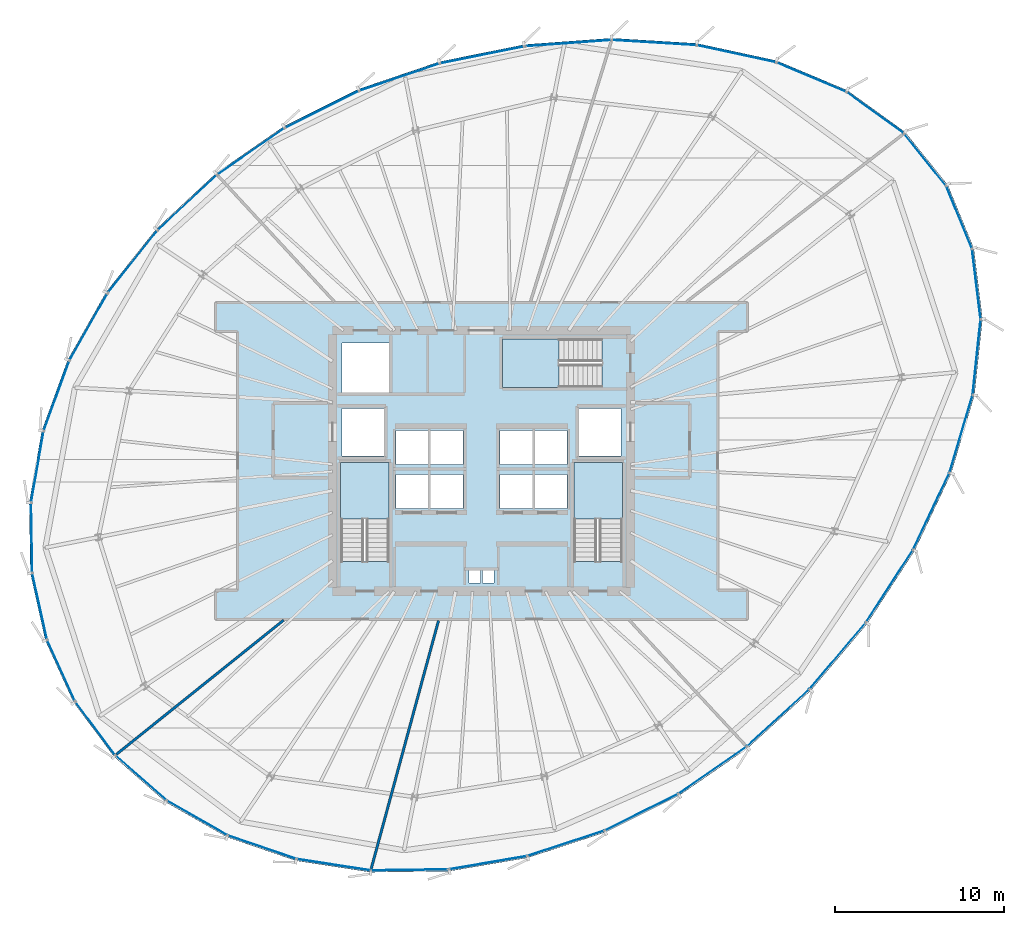
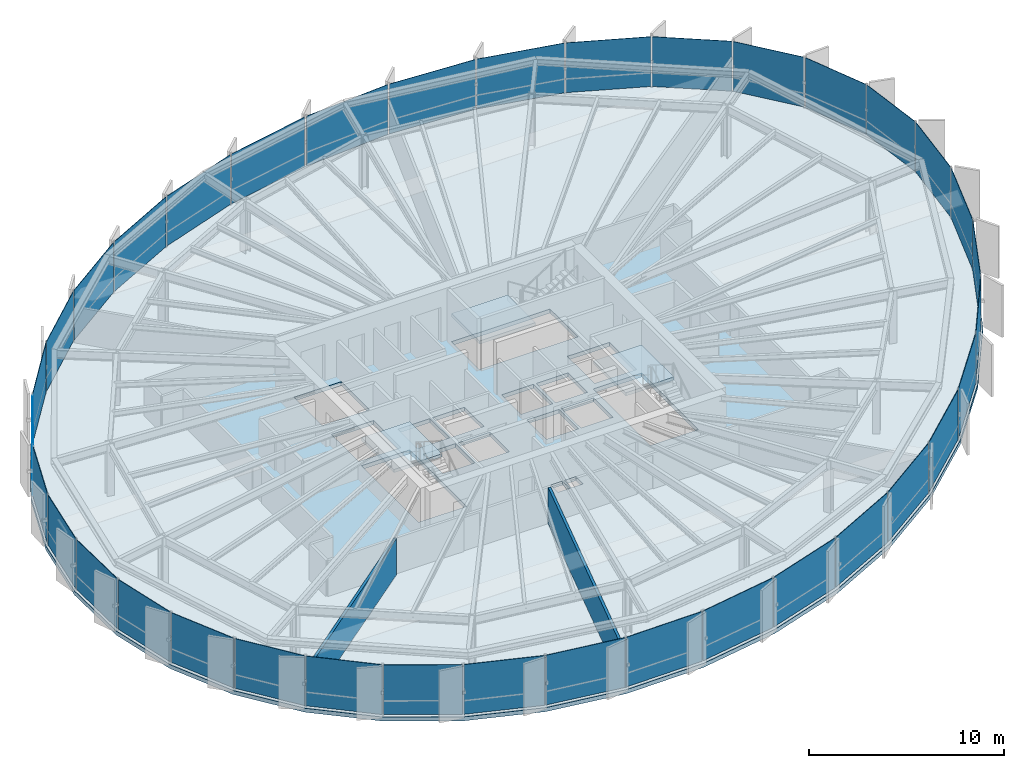
# One storey, part 25 of 32: 36 plates, 4 slabs, 2 walls, 9 elements without a shape of their own.
"""IFC4 building model written with IfcOpenShell, lengths in metres."""

from ifc_helpers import new_model, si_unit, direction, frame, frame_2d, origin, origin_2d, place, context, subcontext, project, spatial, polyline, rectangle, outline, extrude, source, transform, mapped, material, layer, layer_set, type_object, element, aggregate, save


model = new_model("IFC4")

# Units and contexts
model_context = context("Model", 3, precision=1e-05, world=origin(), true_north=direction((0.0, 1.0)))
body_context = subcontext(model_context, "Body", "Model", "MODEL_VIEW")
ifc_project = project(units=[si_unit("LENGTHUNIT", "METRE"), si_unit("AREAUNIT", "SQUARE_METRE"), si_unit("VOLUMEUNIT", "CUBIC_METRE"), si_unit("PLANEANGLEUNIT", "RADIAN"), si_unit("MASSUNIT", "GRAM", prefix="KILO"), si_unit("THERMODYNAMICTEMPERATUREUNIT", "KELVIN")], contexts=[model_context])

# Site, building, storey
site_placement = place(None, origin())
site = spatial("IfcSite", under=ifc_project, at=site_placement, CompositionType="ELEMENT")
building_placement = place(site_placement, origin())
building = spatial("IfcBuilding", under=site, at=building_placement, Name="Kethvar Cultural Tower", CompositionType="ELEMENT")
storey_placement = place(building_placement, frame((0.0, 0.0, 157.199951171875)))
storey = spatial("IfcBuildingStorey", under=building, at=storey_placement, Name="L40", CompositionType="ELEMENT", Elevation=157.199951171875)

# Stair, slab
ifc_material_1 = material(Name="Concrete C40/50", Category="concrete")
stair_type = type_object("IfcStairType", Name="ST-DOGLEG-135", PredefinedType="HALF_TURN_STAIR", material=ifc_material_1)
stair_1_placement = place(storey_placement, origin())
stair_1 = element("IfcStair", 1, at=stair_1_placement, inside=storey, type_object=stair_type, Name="L40 Core Exit Stair 1", PredefinedType="HALF_TURN_STAIR")
ifc_layer_1 = layer(ifc_material_1, 0.199951171875, Name="Concrete C40/50", Category="concrete")
ifc_layer_set_1 = layer_set([ifc_layer_1], Name="Concrete C40/50 (200 mm)")
slab_type_1 = type_object("IfcSlabType", Name="SL-STAIR-LANDING-200", PredefinedType="LANDING", material=ifc_layer_set_1)
slab_1_placement = place(storey_placement, frame((0.0, 0.0, 1.574951171875)))
slab_1 = element("IfcSlab", 2, at=slab_1_placement, type_object=slab_type_1, Name="ST-01 landing 1", PredefinedType="LANDING", context=body_context, shape_type="SweptSolid", body=[
    extrude(outline(polyline([(41.35009765625, 24.3701171875), (41.35009765625, 27.699951171875), (38.489990234375, 27.699951171875), (38.489990234375, 24.3701171875), (41.35009765625, 24.3701171875)])), origin(), (0.0, 0.0, 1.0), 0.2001953125),
])
aggregate(stair_1, [slab_1])

stair_2_placement = place(storey_placement, origin())
stair_2 = element("IfcStair", 3, at=stair_2_placement, inside=storey, type_object=stair_type, Name="L40 Core Exit Stair 2", PredefinedType="HALF_TURN_STAIR")
slab_2_placement = place(storey_placement, frame((0.0, 0.0, 1.574951171875)))
slab_2 = element("IfcSlab", 4, at=slab_2_placement, type_object=slab_type_1, Name="ST-02 landing 1", PredefinedType="LANDING", context=body_context, shape_type="SweptSolid", body=[
    extrude(outline(polyline([(55.110107421875, 24.3701171875), (55.110107421875, 27.699951171875), (52.25, 27.699951171875), (52.25, 24.3701171875), (55.110107421875, 24.3701171875)])), origin(), (0.0, 0.0, 1.0), 0.2001953125),
])
aggregate(stair_2, [slab_2])

stair_3_placement = place(storey_placement, origin())
stair_3 = element("IfcStair", 5, at=stair_3_placement, inside=storey, type_object=stair_type, Name="L40 Core Exit Stair 3", PredefinedType="HALF_TURN_STAIR")
slab_3_placement = place(storey_placement, frame((0.0, 0.0, 1.574951171875)))
slab_3 = element("IfcSlab", 6, at=slab_3_placement, type_object=slab_type_1, Name="ST-03 landing 1", PredefinedType="LANDING", context=body_context, shape_type="SweptSolid", body=[
    extrude(outline(polyline([(51.3798828125, 35.010009765625), (48.050048828125, 35.010009765625), (48.050048828125, 32.14990234375), (51.3798828125, 32.14990234375), (51.3798828125, 35.010009765625)])), origin(), (0.0, 0.0, 1.0), 0.2001953125),
])
aggregate(stair_3, [slab_3])

# Slab
ifc_layer_2 = layer(ifc_material_1, 0.25, Name="Concrete C40/50", Category="concrete")
ifc_layer_set_2 = layer_set([ifc_layer_2], Name="Concrete C40/50 (250 mm)")
slab_type_2 = type_object("IfcSlabType", Name="SL-TOW-250", PredefinedType="FLOOR", material=ifc_layer_set_2)
slab_4_placement = place(storey_placement, frame((0.0, 0.0, -0.25)))
element("IfcSlab", 7, at=slab_4_placement, inside=storey, type_object=slab_type_2, Name="L40 Structural Floor Slab", PredefinedType="FLOOR", context=body_context, shape_type="SweptSolid", body=[
    extrude(outline(polyline([(74.333740234375, 44.08349609375), (71.810302734375, 47.219970703125), (68.390380859375, 49.685546875), (64.2265625, 51.43408203125), (59.515380859375, 52.4541015625), (54.478759765625, 52.760986328125), (49.33935546875, 52.38671875), (44.2998046875, 51.3701171875), (39.5244140625, 49.74853515625), (35.12060546875, 47.549072265625), (31.114501953125, 44.77490234375), (27.585205078125, 41.485107421875), (24.639892578125, 37.779541015625), (22.367919921875, 33.770751953125), (20.837890625, 29.580322265625), (20.09716796875, 25.3359375), (20.16748046875, 21.16650390625), (21.047119140625, 17.198486328125), (22.709228515625, 13.552734375), (25.103515625, 10.33984375), (28.15673828125, 7.657470703125), (31.776611328125, 5.587158203125), (35.852783203125, 4.191650390625), (40.26171875, 3.513427734375), (44.869384765625, 3.5732421875), (49.53564453125, 4.369140625), (54.118896484375, 5.877197265625), (58.4794921875, 8.051025390625), (62.528564453125, 10.8505859375), (66.250244140625, 14.254150390625), (69.56884765625, 18.180419921875), (72.372802734375, 22.50390625), (74.530517578125, 27.0654296875), (75.906005859375, 31.68505859375), (76.379638671875, 36.176513671875), (75.86669921875, 40.361083984375), (74.333740234375, 44.08349609375)]), holes=[polyline([(38.489990234375, 21.85009765625), (38.489990234375, 27.699951171875), (41.35009765625, 27.699951171875), (41.35009765625, 21.85009765625), (38.489990234375, 21.85009765625)]), polyline([(52.25, 21.85009765625), (52.25, 27.699951171875), (55.110107421875, 27.699951171875), (55.110107421875, 21.85009765625), (52.25, 21.85009765625)]), polyline([(53.89990234375, 32.14990234375), (48.050048828125, 32.14990234375), (48.050048828125, 35.010009765625), (53.89990234375, 35.010009765625), (53.89990234375, 32.14990234375)]), polyline([(41.75, 27.0), (43.64990234375, 27.0), (43.64990234375, 25.0), (41.75, 25.0), (41.75, 27.0)]), polyline([(43.800048828125, 27.0), (45.699951171875, 27.0), (45.699951171875, 25.0), (43.800048828125, 25.0), (43.800048828125, 27.0)]), polyline([(47.89990234375, 27.0), (49.800048828125, 27.0), (49.800048828125, 25.0), (47.89990234375, 25.0), (47.89990234375, 27.0)]), polyline([(49.949951171875, 27.0), (51.85009765625, 27.0), (51.85009765625, 25.0), (49.949951171875, 25.0), (49.949951171875, 27.0)]), polyline([(41.75, 29.60009765625), (43.64990234375, 29.60009765625), (43.64990234375, 27.60009765625), (41.75, 27.60009765625), (41.75, 29.60009765625)]), polyline([(43.800048828125, 29.60009765625), (45.699951171875, 29.60009765625), (45.699951171875, 27.60009765625), (43.800048828125, 27.60009765625), (43.800048828125, 29.60009765625)]), polyline([(47.89990234375, 29.60009765625), (49.800048828125, 29.60009765625), (49.800048828125, 27.60009765625), (47.89990234375, 27.60009765625), (47.89990234375, 29.60009765625)]), polyline([(49.949951171875, 29.60009765625), (51.85009765625, 29.60009765625), (51.85009765625, 27.60009765625), (49.949951171875, 27.60009765625), (49.949951171875, 29.60009765625)]), polyline([(38.550048828125, 30.89990234375), (41.050048828125, 30.89990234375), (41.050048828125, 28.10009765625), (38.550048828125, 28.10009765625), (38.550048828125, 30.89990234375)]), polyline([(52.550048828125, 30.89990234375), (55.050048828125, 30.89990234375), (55.050048828125, 28.10009765625), (52.550048828125, 28.10009765625), (52.550048828125, 30.89990234375)]), polyline([(38.550048828125, 34.75), (41.35009765625, 34.75), (41.35009765625, 31.85009765625), (38.550048828125, 31.85009765625), (38.550048828125, 34.75)]), polyline([(46.050048828125, 21.35009765625), (46.75, 21.35009765625), (46.75, 20.60009765625), (46.050048828125, 20.60009765625), (46.050048828125, 21.35009765625)]), polyline([(46.85009765625, 21.35009765625), (47.550048828125, 21.35009765625), (47.550048828125, 20.60009765625), (46.85009765625, 20.60009765625), (46.85009765625, 21.35009765625)])]), origin(), (0.0, 0.0, 1.0), 0.25),
])

# Curtain wall, plate
ifc_material_2 = material(Name="Aluminium 6063-T6", Category="aluminium")
ifc_layer_3 = layer(ifc_material_2, 0.179931640625, Name="Aluminium 6063-T6", Category="aluminium")
ifc_layer_set_3 = layer_set([ifc_layer_3], Name="Aluminium 6063-T6 (180 mm)")
curtain_wall_type = type_object("IfcCurtainWallType", Name="CW-SYS-04-Z34", PredefinedType="NOTDEFINED", material=ifc_layer_set_3)
curtain_wall_1_placement = place(storey_placement, origin())
curtain_wall_1 = element("IfcCurtainWall", 8, at=curtain_wall_1_placement, inside=storey, type_object=curtain_wall_type, Name="L40 Curtain Wall Run 02", PredefinedType="NOTDEFINED")
ifc_material_3 = material(Name="Insulated Low-E Solar Glass", Category="glass")
ifc_layer_4 = layer(ifc_material_3, 0.030029296875, Name="Insulated Low-E Solar Glass", Category="glass")
ifc_layer_set_4 = layer_set([ifc_layer_4], Name="Insulated Low-E Solar Glass (30 mm)")
plate_type = type_object("IfcPlateType", Name="CW-SYS-04-Z34-PNL", PredefinedType="CURTAIN_PANEL", material=ifc_layer_set_4)
shared_shape_1 = source(origin(), body_context, "Body", "SweptSolid", [
    extrude(rectangle(XDim=4.836181640625, YDim=0.030029296875, at=origin_2d()), origin(), (0.0, 0.0, 1.0), 3.1201171875),
])
plate_1_placement = place(storey_placement, frame((37.37158203125, 48.55029296875, 0.090087890625), z_axis=(0.0, 0.0, 1.0), x_axis=(-0.894630437086, -0.446806872193, 0.0)))
plate_1 = element("IfcPlate", 9, at=plate_1_placement, type_object=plate_type, Name="CW-L40-R02 Vision Glazing Panel 3", PredefinedType="CURTAIN_PANEL", context=body_context, shape_type="MappedRepresentation", body=[
    mapped(shared_shape_1, transform((0.0, 0.0, 0.0), scale=1.0)),
])

curtain_wall_2_placement = place(storey_placement, origin())
curtain_wall_2 = element("IfcCurtainWall", 10, at=curtain_wall_2_placement, inside=storey, type_object=curtain_wall_type, Name="L40 Curtain Wall Run 05", PredefinedType="NOTDEFINED")
plate_2_placement = place(storey_placement, frame((60.44140625, 9.541259765625, 0.090087890625), z_axis=(0.0, 0.0, 1.0), x_axis=(0.822541272729, 0.56870541993, 0.0)))
plate_2 = element("IfcPlate", 11, at=plate_2_placement, type_object=plate_type, Name="CW-L40-R05 Vision Glazing Panel 4", PredefinedType="CURTAIN_PANEL", context=body_context, shape_type="MappedRepresentation", body=[
    mapped(shared_shape_1, transform((0.0, 0.0, 0.0), scale=1.0)),
])

curtain_wall_3_placement = place(storey_placement, origin())
curtain_wall_3 = element("IfcCurtainWall", 12, at=curtain_wall_3_placement, inside=storey, type_object=curtain_wall_type, Name="L40 Curtain Wall Run 01", PredefinedType="NOTDEFINED")
shared_shape_2 = source(origin(), body_context, "Body", "SweptSolid", [
    extrude(rectangle(XDim=3.939208984375, YDim=0.030029296875, at=origin_2d()), origin(), (0.0, 0.0, 1.0), 3.1201171875),
])
plate_3_placement = place(storey_placement, frame((72.986328125, 45.582763671875, 0.090087890625), z_axis=(0.0, 0.0, 1.0), x_axis=(-0.626848616681, 0.779141073083, 0.0)))
plate_3 = element("IfcPlate", 13, at=plate_3_placement, type_object=plate_type, Name="CW-L40-R01 Vision Glazing Panel 1", PredefinedType="CURTAIN_PANEL", context=body_context, shape_type="MappedRepresentation", body=[
    mapped(shared_shape_2, transform((0.0, 0.0, 0.0), scale=1.0)),
])

curtain_wall_4_placement = place(storey_placement, origin())
curtain_wall_4 = element("IfcCurtainWall", 14, at=curtain_wall_4_placement, inside=storey, type_object=curtain_wall_type, Name="L40 Curtain Wall Run 06", PredefinedType="NOTDEFINED")
plate_4_placement = place(storey_placement, frame((74.998291015625, 42.180419921875, 0.090087890625), z_axis=(0.0, 0.0, 1.0), x_axis=(-0.38079604125, 0.924659058771, 0.0)))
plate_4 = element("IfcPlate", 15, at=plate_4_placement, type_object=plate_type, Name="CW-L40-R06 Vision Glazing Panel 6", PredefinedType="CURTAIN_PANEL", context=body_context, shape_type="MappedRepresentation", body=[
    mapped(shared_shape_2, transform((0.0, 0.0, 0.0), scale=1.0)),
])

# Plate
shared_shape_3 = source(origin(), body_context, "Body", "SweptSolid", [
    extrude(rectangle(XDim=4.129638671875, YDim=0.030029296875, at=origin_2d()), origin(), (0.0, 0.0, 1.0), 3.1201171875),
])
plate_5_placement = place(storey_placement, frame((70.035888671875, 48.363525390625, 0.090087890625), z_axis=(0.0, 0.0, 1.0), x_axis=(-0.81116590101, 0.584816108738, 0.0)))
plate_5 = element("IfcPlate", 16, at=plate_5_placement, type_object=plate_type, Name="CW-L40-R01 Vision Glazing Panel 2", PredefinedType="CURTAIN_PANEL", context=body_context, shape_type="MappedRepresentation", body=[
    mapped(shared_shape_3, transform((0.0, 0.0, 0.0), scale=1.0)),
])

plate_6_placement = place(storey_placement, frame((76.013916015625, 38.25537109375, 0.090087890625), z_axis=(0.0, 0.0, 1.0), x_axis=(-0.121678785979, 0.992569530583, 0.0)))
plate_6 = element("IfcPlate", 17, at=plate_6_placement, type_object=plate_type, Name="CW-L40-R06 Vision Glazing Panel 5", PredefinedType="CURTAIN_PANEL", context=body_context, shape_type="MappedRepresentation", body=[
    mapped(shared_shape_3, transform((0.0, 0.0, 0.0), scale=1.0)),
])

shared_shape_4 = source(origin(), body_context, "Body", "SweptSolid", [
    extrude(rectangle(XDim=4.4296875, YDim=0.030029296875, at=origin_2d()), origin(), (0.0, 0.0, 1.0), 3.1201171875),
])
plate_7_placement = place(storey_placement, frame((66.265869140625, 50.45849609375, 0.090087890625), z_axis=(0.0, 0.0, 1.0), x_axis=(-0.92199836388, 0.387193771905, 0.0)))
plate_7 = element("IfcPlate", 18, at=plate_7_placement, type_object=plate_type, Name="CW-L40-R01 Vision Glazing Panel 3", PredefinedType="CURTAIN_PANEL", context=body_context, shape_type="MappedRepresentation", body=[
    mapped(shared_shape_4, transform((0.0, 0.0, 0.0), scale=1.0)),
])

plate_8_placement = place(storey_placement, frame((76.033447265625, 33.9423828125, 0.090087890625), z_axis=(0.0, 0.0, 1.0), x_axis=(0.104858253464, 0.994487177736, 0.0)))
plate_8 = element("IfcPlate", 19, at=plate_8_placement, type_object=plate_type, Name="CW-L40-R06 Vision Glazing Panel 4", PredefinedType="CURTAIN_PANEL", context=body_context, shape_type="MappedRepresentation", body=[
    mapped(shared_shape_4, transform((0.0, 0.0, 0.0), scale=1.0)),
])

shared_shape_5 = source(origin(), body_context, "Body", "SweptSolid", [
    extrude(rectangle(XDim=4.73388671875, YDim=0.030029296875, at=origin_2d()), origin(), (0.0, 0.0, 1.0), 3.1201171875),
])
plate_9_placement = place(storey_placement, frame((61.84765625, 51.836669921875, 0.090087890625), z_axis=(0.0, 0.0, 1.0), x_axis=(-0.977349456411, 0.211631850281, 0.0)))
plate_9 = element("IfcPlate", 20, at=plate_9_placement, type_object=plate_type, Name="CW-L40-R01 Vision Glazing Panel 4", PredefinedType="CURTAIN_PANEL", context=body_context, shape_type="MappedRepresentation", body=[
    mapped(shared_shape_5, transform((0.0, 0.0, 0.0), scale=1.0)),
])

plate_10_placement = place(storey_placement, frame((75.11279296875, 29.406494140625, 0.090087890625), z_axis=(0.0, 0.0, 1.0), x_axis=(0.285387287396, 0.95841227882, 0.0)))
plate_10 = element("IfcPlate", 21, at=plate_10_placement, type_object=plate_type, Name="CW-L40-R06 Vision Glazing Panel 3", PredefinedType="CURTAIN_PANEL", context=body_context, shape_type="MappedRepresentation", body=[
    mapped(shared_shape_5, transform((0.0, 0.0, 0.0), scale=1.0)),
])

shared_shape_6 = source(origin(), body_context, "Body", "SweptSolid", [
    extrude(rectangle(XDim=4.959716796875, YDim=0.030029296875, at=origin_2d()), origin(), (0.0, 0.0, 1.0), 3.1201171875),
])
plate_11_placement = place(storey_placement, frame((56.990478515625, 52.497802734375, 0.090087890625), z_axis=(0.0, 0.0, 1.0), x_axis=(-0.998149685597, 0.060804647374, 0.0)))
plate_11 = element("IfcPlate", 22, at=plate_11_placement, type_object=plate_type, Name="CW-L40-R01 Vision Glazing Panel 5", PredefinedType="CURTAIN_PANEL", context=body_context, shape_type="MappedRepresentation", body=[
    mapped(shared_shape_6, transform((0.0, 0.0, 0.0), scale=1.0)),
])

plate_12_placement = place(storey_placement, frame((73.35205078125, 24.83154296875, 0.090087890625), z_axis=(0.0, 0.0, 1.0), x_axis=(0.427578759668, 0.903978099447, 0.0)))
plate_12 = element("IfcPlate", 23, at=plate_12_placement, type_object=plate_type, Name="CW-L40-R06 Vision Glazing Panel 2", PredefinedType="CURTAIN_PANEL", context=body_context, shape_type="MappedRepresentation", body=[
    mapped(shared_shape_6, transform((0.0, 0.0, 0.0), scale=1.0)),
])

shared_shape_7 = source(origin(), body_context, "Body", "SweptSolid", [
    extrude(rectangle(XDim=5.066650390625, YDim=0.030029296875, at=origin_2d()), origin(), (0.0, 0.0, 1.0), 3.1201171875),
])
plate_13_placement = place(storey_placement, frame((51.9169921875, 52.464111328125, 0.090087890625), z_axis=(0.0, 0.0, 1.0), x_axis=(-0.997359029813, -0.072628958755, 0.0)))
plate_13 = element("IfcPlate", 24, at=plate_13_placement, type_object=plate_type, Name="CW-L40-R01 Vision Glazing Panel 6", PredefinedType="CURTAIN_PANEL", context=body_context, shape_type="MappedRepresentation", body=[
    mapped(shared_shape_7, transform((0.0, 0.0, 0.0), scale=1.0)),
])

aggregate(curtain_wall_3, [plate_3, plate_5, plate_7, plate_9, plate_11, plate_13])

plate_14_placement = place(storey_placement, frame((70.87841796875, 20.40185546875, 0.090087890625), z_axis=(0.0, 0.0, 1.0), x_axis=(0.544141262017, 0.838993615572, 0.0)))
plate_14 = element("IfcPlate", 25, at=plate_14_placement, type_object=plate_type, Name="CW-L40-R06 Vision Glazing Panel 1", PredefinedType="CURTAIN_PANEL", context=body_context, shape_type="MappedRepresentation", body=[
    mapped(shared_shape_7, transform((0.0, 0.0, 0.0), scale=1.0)),
])

aggregate(curtain_wall_4, [plate_14, plate_12, plate_10, plate_8, plate_6, plate_4])

shared_shape_8 = source(origin(), body_context, "Body", "SweptSolid", [
    extrude(rectangle(XDim=5.054443359375, YDim=0.030029296875, at=origin_2d()), origin(), (0.0, 0.0, 1.0), 3.1201171875),
])
plate_15_placement = place(storey_placement, frame((46.84130859375, 51.7705078125, 0.090087890625), z_axis=(0.0, 0.0, 1.0), x_axis=(-0.980253922032, -0.197742884424, 0.0)))
plate_15 = element("IfcPlate", 26, at=plate_15_placement, type_object=plate_type, Name="CW-L40-R02 Vision Glazing Panel 1", PredefinedType="CURTAIN_PANEL", context=body_context, shape_type="MappedRepresentation", body=[
    mapped(shared_shape_8, transform((0.0, 0.0, 0.0), scale=1.0)),
])

plate_16_placement = place(storey_placement, frame((67.825439453125, 16.288330078125, 0.090087890625), z_axis=(0.0, 0.0, 1.0), x_axis=(0.645537668718, 0.763728432276, 0.0)))
plate_16 = element("IfcPlate", 27, at=plate_16_placement, type_object=plate_type, Name="CW-L40-R05 Vision Glazing Panel 6", PredefinedType="CURTAIN_PANEL", context=body_context, shape_type="MappedRepresentation", body=[
    mapped(shared_shape_8, transform((0.0, 0.0, 0.0), scale=1.0)),
])

shared_shape_9 = source(origin(), body_context, "Body", "SweptSolid", [
    extrude(rectangle(XDim=4.956787109375, YDim=0.030029296875, at=origin_2d()), origin(), (0.0, 0.0, 1.0), 3.1201171875),
])
plate_17_placement = place(storey_placement, frame((41.947509765625, 50.455078125, 0.090087890625), z_axis=(0.0, 0.0, 1.0), x_axis=(-0.946896463241, -0.321538625832, 0.0)))
plate_17 = element("IfcPlate", 28, at=plate_17_placement, type_object=plate_type, Name="CW-L40-R02 Vision Glazing Panel 2", PredefinedType="CURTAIN_PANEL", context=body_context, shape_type="MappedRepresentation", body=[
    mapped(shared_shape_9, transform((0.0, 0.0, 0.0), scale=1.0)),
])

plate_18_placement = place(storey_placement, frame((64.315185546875, 12.633544921875, 0.090087890625), z_axis=(0.0, 0.0, 1.0), x_axis=(0.737925517065, 0.674882161021, 0.0)))
plate_18 = element("IfcPlate", 29, at=plate_18_placement, type_object=plate_type, Name="CW-L40-R05 Vision Glazing Panel 5", PredefinedType="CURTAIN_PANEL", context=body_context, shape_type="MappedRepresentation", body=[
    mapped(shared_shape_9, transform((0.0, 0.0, 0.0), scale=1.0)),
])

shared_shape_10 = source(origin(), body_context, "Body", "SweptSolid", [
    extrude(rectangle(XDim=4.786376953125, YDim=0.030029296875, at=origin_2d()), origin(), (0.0, 0.0, 1.0), 3.1201171875),
])
plate_19_placement = place(storey_placement, frame((33.18017578125, 46.071533203125, 0.090087890625), z_axis=(0.0, 0.0, 1.0), x_axis=(-0.822114232498, -0.569322570012, 0.0)))
plate_19 = element("IfcPlate", 30, at=plate_19_placement, type_object=plate_type, Name="CW-L40-R02 Vision Glazing Panel 4", PredefinedType="CURTAIN_PANEL", context=body_context, shape_type="MappedRepresentation", body=[
    mapped(shared_shape_10, transform((0.0, 0.0, 0.0), scale=1.0)),
])

shared_shape_11 = source(origin(), body_context, "Body", "SweptSolid", [
    extrude(rectangle(XDim=4.73828125, YDim=0.030029296875, at=origin_2d()), origin(), (0.0, 0.0, 1.0), 3.1201171875),
])
plate_20_placement = place(storey_placement, frame((29.425048828125, 43.049560546875, 0.090087890625), z_axis=(0.0, 0.0, 1.0), x_axis=(-0.73149652298, -0.681845170745, 0.0)))
plate_20 = element("IfcPlate", 31, at=plate_20_placement, type_object=plate_type, Name="CW-L40-R02 Vision Glazing Panel 5", PredefinedType="CURTAIN_PANEL", context=body_context, shape_type="MappedRepresentation", body=[
    mapped(shared_shape_11, transform((0.0, 0.0, 0.0), scale=1.0)),
])

shared_shape_12 = source(origin(), body_context, "Body", "SweptSolid", [
    extrude(rectangle(XDim=4.647216796875, YDim=0.030029296875, at=origin_2d()), origin(), (0.0, 0.0, 1.0), 3.1201171875),
])
plate_21_placement = place(storey_placement, frame((26.19873046875, 39.56396484375, 0.090087890625), z_axis=(0.0, 0.0, 1.0), x_axis=(-0.62222775396, -0.782836267812, 0.0)))
plate_21 = element("IfcPlate", 32, at=plate_21_placement, type_object=plate_type, Name="CW-L40-R02 Vision Glazing Panel 6", PredefinedType="CURTAIN_PANEL", context=body_context, shape_type="MappedRepresentation", body=[
    mapped(shared_shape_12, transform((0.0, 0.0, 0.0), scale=1.0)),
])

aggregate(curtain_wall_1, [plate_15, plate_17, plate_1, plate_19, plate_20, plate_21])

plate_22_placement = place(storey_placement, frame((47.18408203125, 4.07958984375, 0.090087890625), z_axis=(0.0, 0.0, 1.0), x_axis=(0.985762222924, 0.168145293887, 0.0)))
plate_22 = element("IfcPlate", 33, at=plate_22_placement, type_object=plate_type, Name="CW-L40-R05 Vision Glazing Panel 1", PredefinedType="CURTAIN_PANEL", context=body_context, shape_type="MappedRepresentation", body=[
    mapped(shared_shape_12, transform((0.0, 0.0, 0.0), scale=1.0)),
])

# Curtain wall, plate
curtain_wall_5_placement = place(storey_placement, origin())
curtain_wall_5 = element("IfcCurtainWall", 34, at=curtain_wall_5_placement, inside=storey, type_object=curtain_wall_type, Name="L40 Curtain Wall Run 03", PredefinedType="NOTDEFINED")
shared_shape_13 = source(origin(), body_context, "Body", "SweptSolid", [
    extrude(rectangle(XDim=4.521484375, YDim=0.030029296875, at=origin_2d()), origin(), (0.0, 0.0, 1.0), 3.1201171875),
])
plate_23_placement = place(storey_placement, frame((23.599609375, 35.720703125, 0.090087890625), z_axis=(0.0, 0.0, 1.0), x_axis=(-0.49309180003, -0.869977285188, 0.0)))
plate_23 = element("IfcPlate", 35, at=plate_23_placement, type_object=plate_type, Name="CW-L40-R03 Vision Glazing Panel 1", PredefinedType="CURTAIN_PANEL", context=body_context, shape_type="MappedRepresentation", body=[
    mapped(shared_shape_13, transform((0.0, 0.0, 0.0), scale=1.0)),
])

curtain_wall_6_placement = place(storey_placement, origin())
curtain_wall_6 = element("IfcCurtainWall", 36, at=curtain_wall_6_placement, inside=storey, type_object=curtain_wall_type, Name="L40 Curtain Wall Run 04", PredefinedType="NOTDEFINED")
plate_24_placement = place(storey_placement, frame((42.564208984375, 3.6533203125, 0.090087890625), z_axis=(0.0, 0.0, 1.0), x_axis=(0.999915692831, 0.012984884716, 0.0)))
plate_24 = element("IfcPlate", 37, at=plate_24_placement, type_object=plate_type, Name="CW-L40-R04 Vision Glazing Panel 6", PredefinedType="CURTAIN_PANEL", context=body_context, shape_type="MappedRepresentation", body=[
    mapped(shared_shape_13, transform((0.0, 0.0, 0.0), scale=1.0)),
])

# Plate
shared_shape_14 = source(origin(), body_context, "Body", "SweptSolid", [
    extrude(rectangle(XDim=4.37451171875, YDim=0.030029296875, at=origin_2d()), origin(), (0.0, 0.0, 1.0), 3.1201171875),
])
plate_25_placement = place(storey_placement, frame((21.706298828125, 31.637939453125, 0.090087890625), z_axis=(0.0, 0.0, 1.0), x_axis=(-0.342938420708, -0.939357886858, 0.0)))
plate_25 = element("IfcPlate", 38, at=plate_25_placement, type_object=plate_type, Name="CW-L40-R03 Vision Glazing Panel 2", PredefinedType="CURTAIN_PANEL", context=body_context, shape_type="MappedRepresentation", body=[
    mapped(shared_shape_14, transform((0.0, 0.0, 0.0), scale=1.0)),
])

shared_shape_15 = source(origin(), body_context, "Body", "SweptSolid", [
    extrude(rectangle(XDim=4.22216796875, YDim=0.030029296875, at=origin_2d()), origin(), (0.0, 0.0, 1.0), 3.1201171875),
])
plate_26_placement = place(storey_placement, frame((20.575927734375, 27.439208984375, 0.090087890625), z_axis=(0.0, 0.0, 1.0), x_axis=(-0.171963486977, -0.985103324097, 0.0)))
plate_26 = element("IfcPlate", 39, at=plate_26_placement, type_object=plate_type, Name="CW-L40-R03 Vision Glazing Panel 3", PredefinedType="CURTAIN_PANEL", context=body_context, shape_type="MappedRepresentation", body=[
    mapped(shared_shape_15, transform((0.0, 0.0, 0.0), scale=1.0)),
])

plate_27_placement = place(storey_placement, frame((33.850341796875, 4.993408203125, 0.090087890625), z_axis=(0.0, 0.0, 1.0), x_axis=(0.946096665102, -0.323884393392, 0.0)))
plate_27 = element("IfcPlate", 40, at=plate_27_placement, type_object=plate_type, Name="CW-L40-R04 Vision Glazing Panel 4", PredefinedType="CURTAIN_PANEL", context=body_context, shape_type="MappedRepresentation", body=[
    mapped(shared_shape_15, transform((0.0, 0.0, 0.0), scale=1.0)),
])

shared_shape_16 = source(origin(), body_context, "Body", "SweptSolid", [
    extrude(rectangle(XDim=4.083740234375, YDim=0.030029296875, at=origin_2d()), origin(), (0.0, 0.0, 1.0), 3.1201171875),
])
plate_28_placement = place(storey_placement, frame((20.2421875, 23.253173828125, 0.090087890625), z_axis=(0.0, 0.0, 1.0), x_axis=(0.016876532643, -0.999857581181, 0.0)))
plate_28 = element("IfcPlate", 41, at=plate_28_placement, type_object=plate_type, Name="CW-L40-R03 Vision Glazing Panel 4", PredefinedType="CURTAIN_PANEL", context=body_context, shape_type="MappedRepresentation", body=[
    mapped(shared_shape_16, transform((0.0, 0.0, 0.0), scale=1.0)),
])

plate_29_placement = place(storey_placement, frame((30.021240234375, 6.7177734375, 0.090087890625), z_axis=(0.0, 0.0, 1.0), x_axis=(0.86806021085, -0.49645893117, 0.0)))
plate_29 = element("IfcPlate", 42, at=plate_29_placement, type_object=plate_type, Name="CW-L40-R04 Vision Glazing Panel 3", PredefinedType="CURTAIN_PANEL", context=body_context, shape_type="MappedRepresentation", body=[
    mapped(shared_shape_16, transform((0.0, 0.0, 0.0), scale=1.0)),
])

shared_shape_17 = source(origin(), body_context, "Body", "SweptSolid", [
    extrude(rectangle(XDim=3.977783203125, YDim=0.030029296875, at=origin_2d()), origin(), (0.0, 0.0, 1.0), 3.1201171875),
])
plate_30_placement = place(storey_placement, frame((20.714599609375, 19.206298828125, 0.090087890625), z_axis=(0.0, 0.0, 1.0), x_axis=(0.216422574325, -0.976299784555, 0.0)))
plate_30 = element("IfcPlate", 43, at=plate_30_placement, type_object=plate_type, Name="CW-L40-R03 Vision Glazing Panel 5", PredefinedType="CURTAIN_PANEL", context=body_context, shape_type="MappedRepresentation", body=[
    mapped(shared_shape_17, transform((0.0, 0.0, 0.0), scale=1.0)),
])

plate_31_placement = place(storey_placement, frame((26.70263671875, 9.081298828125, 0.090087890625), z_axis=(0.0, 0.0, 1.0), x_axis=(0.751252614187, -0.660014779893, 0.0)))
plate_31 = element("IfcPlate", 44, at=plate_31_placement, type_object=plate_type, Name="CW-L40-R04 Vision Glazing Panel 2", PredefinedType="CURTAIN_PANEL", context=body_context, shape_type="MappedRepresentation", body=[
    mapped(shared_shape_17, transform((0.0, 0.0, 0.0), scale=1.0)),
])

shared_shape_18 = source(origin(), body_context, "Body", "SweptSolid", [
    extrude(rectangle(XDim=3.92041015625, YDim=0.030029296875, at=origin_2d()), origin(), (0.0, 0.0, 1.0), 3.1201171875),
])
plate_32_placement = place(storey_placement, frame((21.978271484375, 15.42138671875, 0.090087890625), z_axis=(0.0, 0.0, 1.0), x_axis=(0.414836173922, -0.909896119788, 0.0)))
plate_32 = element("IfcPlate", 45, at=plate_32_placement, type_object=plate_type, Name="CW-L40-R03 Vision Glazing Panel 6", PredefinedType="CURTAIN_PANEL", context=body_context, shape_type="MappedRepresentation", body=[
    mapped(shared_shape_18, transform((0.0, 0.0, 0.0), scale=1.0)),
])

aggregate(curtain_wall_5, [plate_23, plate_25, plate_26, plate_28, plate_30, plate_32])

plate_33_placement = place(storey_placement, frame((23.99462890625, 12.01220703125, 0.090087890625), z_axis=(0.0, 0.0, 1.0), x_axis=(0.597513192152, -0.80185908064, 0.0)))
plate_33 = element("IfcPlate", 46, at=plate_33_placement, type_object=plate_type, Name="CW-L40-R04 Vision Glazing Panel 1", PredefinedType="CURTAIN_PANEL", context=body_context, shape_type="MappedRepresentation", body=[
    mapped(shared_shape_18, transform((0.0, 0.0, 0.0), scale=1.0)),
])

shared_shape_19 = source(origin(), body_context, "Body", "SweptSolid", [
    extrude(rectangle(XDim=4.374267578125, YDim=0.030029296875, at=origin_2d()), origin(), (0.0, 0.0, 1.0), 3.1201171875),
])
plate_34_placement = place(storey_placement, frame((38.073974609375, 3.961181640625, 0.090087890625), z_axis=(0.0, 0.0, 1.0), x_axis=(0.988377435372, -0.152019884381, 0.0)))
plate_34 = element("IfcPlate", 47, at=plate_34_placement, type_object=plate_type, Name="CW-L40-R04 Vision Glazing Panel 5", PredefinedType="CURTAIN_PANEL", context=body_context, shape_type="MappedRepresentation", body=[
    mapped(shared_shape_19, transform((0.0, 0.0, 0.0), scale=1.0)),
])

aggregate(curtain_wall_6, [plate_33, plate_31, plate_29, plate_27, plate_34, plate_24])

shared_shape_20 = source(origin(), body_context, "Body", "SweptSolid", [
    extrude(rectangle(XDim=4.738525390625, YDim=0.030029296875, at=origin_2d()), origin(), (0.0, 0.0, 1.0), 3.1201171875),
])
plate_35_placement = place(storey_placement, frame((51.79296875, 5.2275390625, 0.090087890625), z_axis=(0.0, 0.0, 1.0), x_axis=(0.949906615418, 0.312533873342, 0.0)))
plate_35 = element("IfcPlate", 48, at=plate_35_placement, type_object=plate_type, Name="CW-L40-R05 Vision Glazing Panel 2", PredefinedType="CURTAIN_PANEL", context=body_context, shape_type="MappedRepresentation", body=[
    mapped(shared_shape_20, transform((0.0, 0.0, 0.0), scale=1.0)),
])

shared_shape_21 = source(origin(), body_context, "Body", "SweptSolid", [
    extrude(rectangle(XDim=4.7861328125, YDim=0.030029296875, at=origin_2d()), origin(), (0.0, 0.0, 1.0), 3.1201171875),
])
plate_36_placement = place(storey_placement, frame((56.25, 7.0625, 0.090087890625), z_axis=(0.0, 0.0, 1.0), x_axis=(0.894957723238, 0.446150953845, 0.0)))
plate_36 = element("IfcPlate", 49, at=plate_36_placement, type_object=plate_type, Name="CW-L40-R05 Vision Glazing Panel 3", PredefinedType="CURTAIN_PANEL", context=body_context, shape_type="MappedRepresentation", body=[
    mapped(shared_shape_21, transform((0.0, 0.0, 0.0), scale=1.0)),
])

aggregate(curtain_wall_2, [plate_22, plate_35, plate_36, plate_2, plate_18, plate_16])

# Walls
ifc_material_4 = material(Name="Gypsum Acoustic Partition")
ifc_layer_5 = layer(ifc_material_4, 0.14990234375, Name="Gypsum Acoustic Partition")
ifc_layer_set_5 = layer_set([ifc_layer_5], Name="Gypsum Acoustic Partition (150 mm)")
wall_type = type_object("IfcWallType", Name="WL-PART-150", PredefinedType="PARTITIONING", material=ifc_layer_set_5)
wall_1_placement = place(storey_placement, frame((35.118896484375, 18.39990234375, 0.0), z_axis=(0.0, 0.0, 1.0), x_axis=(-0.779988558274, -0.625793775106, 0.0)))
element("IfcWall", 50, at=wall_1_placement, inside=storey, type_object=wall_type, Name="L40 Radial Partition Wall 01", PredefinedType="PARTITIONING", context=body_context, shape_type="SweptSolid", body=[
    extrude(rectangle(XDim=12.647705078125, YDim=0.14990234375, at=frame_2d((6.32373046875, 0.0))), origin(), (0.0, 0.0, 1.0), 2.280029296875),
])
wall_2_placement = place(storey_placement, frame((44.261962890625, 18.372802734375, 0.0), z_axis=(0.0, 0.0, 1.0), x_axis=(-0.261836804858, -0.965112163234, 0.0)))
element("IfcWall", 51, at=wall_2_placement, inside=storey, type_object=wall_type, Name="L40 Radial Partition Wall 02", PredefinedType="PARTITIONING", context=body_context, shape_type="SweptSolid", body=[
    extrude(rectangle(XDim=15.1826171875, YDim=0.14990234375, at=frame_2d((7.59130859375, 0.0))), origin(), (0.0, 0.0, 1.0), 2.280029296875),
])

save(model, "model.ifc")
